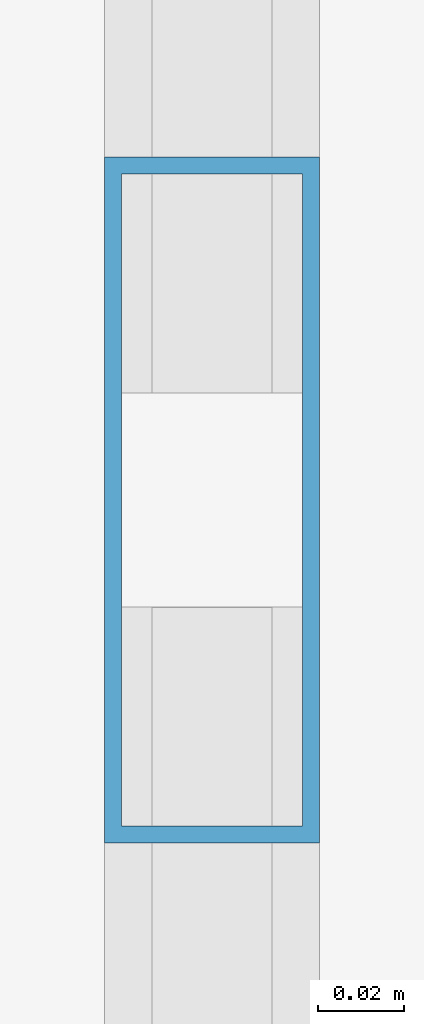
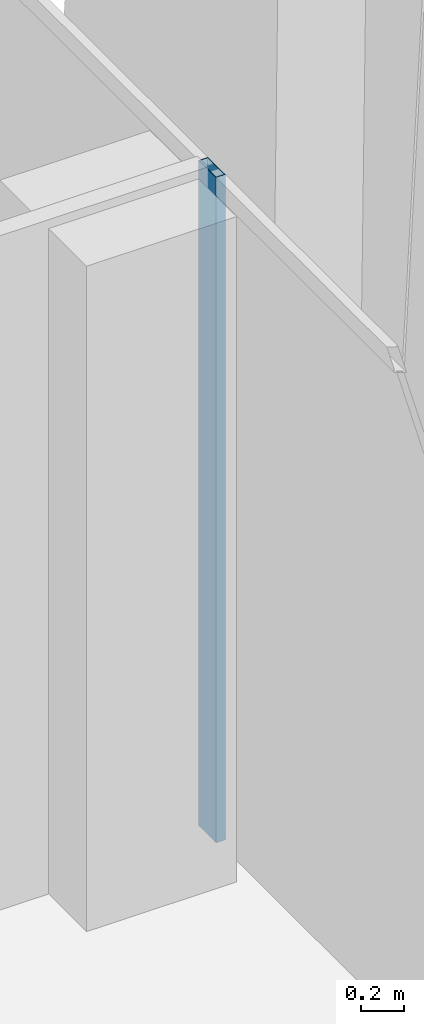
# One storey, part 12 of 32: 1 member, 1 element without a shape of its own.
"""IFC4 building model written with IfcOpenShell, lengths in metres."""

from ifc_helpers import new_model, si_unit, direction, frame, origin, origin_2d, place, context, subcontext, project, spatial, hollow_rectangle, extrude, source, transform, mapped, material, material_profile, profile_set, type_object, element, aggregate, save


model = new_model("IFC4")

# Units and contexts
model_context = context("Model", 3, precision=1e-05, world=origin(), true_north=direction((0.0, 1.0)))
body_context = subcontext(model_context, "Body", "Model", "MODEL_VIEW")
ifc_project = project(units=[si_unit("LENGTHUNIT", "METRE"), si_unit("AREAUNIT", "SQUARE_METRE"), si_unit("VOLUMEUNIT", "CUBIC_METRE"), si_unit("PLANEANGLEUNIT", "RADIAN"), si_unit("MASSUNIT", "GRAM", prefix="KILO")], contexts=[model_context])

# Site, building, storey
site_placement = place(None, origin())
site = spatial("IfcSite", under=ifc_project, at=site_placement, CompositionType="ELEMENT")
building_placement = place(site_placement, origin())
building = spatial("IfcBuilding", under=site, at=building_placement, Name="Khomas Fold Tower", CompositionType="ELEMENT")
storey_placement = place(building_placement, frame((0.0, 0.0, 282.199951171875)))
storey = spatial("IfcBuildingStorey", under=building, at=storey_placement, Name="L63", CompositionType="ELEMENT", Elevation=282.199951171875)

# Curtain wall, member
ifc_material_1 = material(Name="Aluminium framed double glazing", Category="aluminium")
curtain_wall_type = type_object("IfcCurtainWallType", Name="SK-Unitised clear-glass wall, upper floors CW3", PredefinedType="NOTDEFINED", material=ifc_material_1)
curtain_wall_placement = place(storey_placement, origin())
curtain_wall = element("IfcCurtainWall", 1, at=curtain_wall_placement, inside=storey, type_object=curtain_wall_type, Name="CW3 run L63 03-1", PredefinedType="NOTDEFINED")
ifc_material_2 = material(Name="Aluminium", Category="aluminium")
ifc_material_profile = material_profile(ifc_material_2, hollow_rectangle(XDim=0.050048828125, YDim=0.159912109375, WallThickness=0.00390625, at=origin_2d()), Name="SK-Unitised clear-glass wall, upper floors mullion CW3-M")
ifc_profile_set = profile_set([ifc_material_profile], Name="Aluminium")
member_type = type_object("IfcMemberType", Name="SK-Unitised clear-glass wall, upper floors mullion CW3-M", PredefinedType="MULLION", material=ifc_profile_set)
shared_shape = source(origin(), body_context, "Body", "SweptSolid", [
    extrude(hollow_rectangle(XDim=0.050048828125, YDim=0.159912109375, WallThickness=0.00390625, at=origin_2d()), origin(), (0.0, 0.0, 1.0), 3.75),
])
member_placement = place(storey_placement, frame((47.89990234375, 34.5, 0.0), z_axis=(0.0, 0.0, 1.0), x_axis=(-1.0, 0.0, 0.0)))
member = element("IfcMember", 2, at=member_placement, type_object=member_type, Name="CW3 mullion 3", PredefinedType="MULLION", context=body_context, shape_type="MappedRepresentation", body=[
    mapped(shared_shape, transform((0.0, 0.0, 0.0))),
])
aggregate(curtain_wall, [member])

save(model, "model.ifc")
